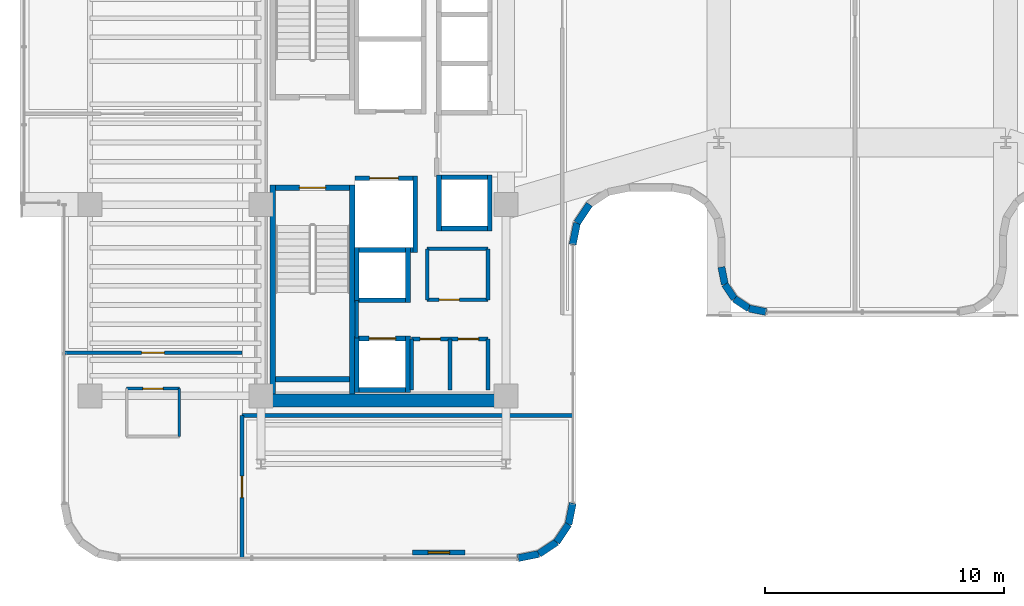
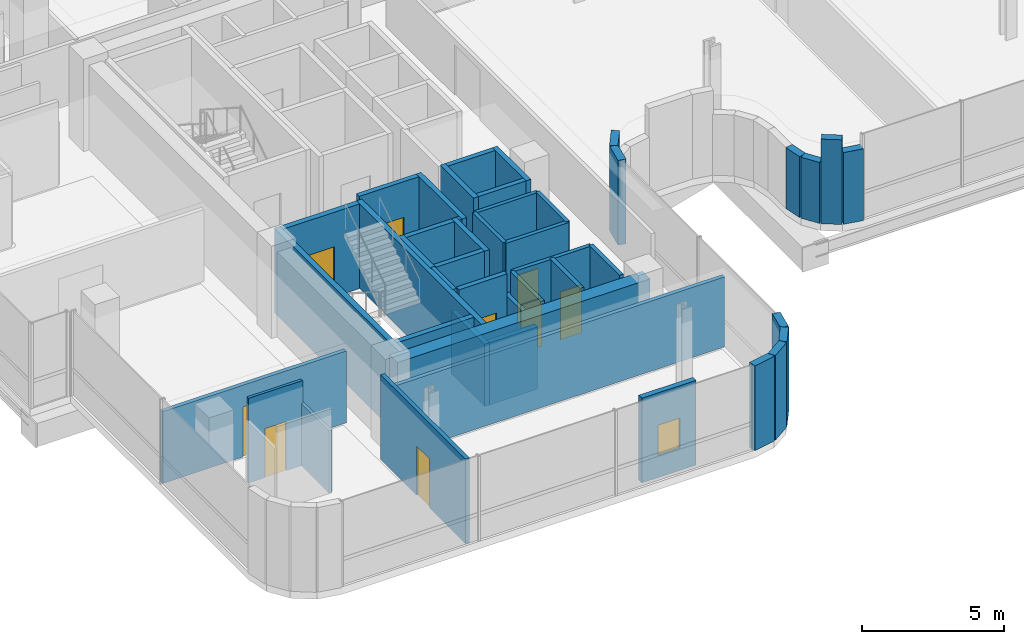
# One storey, part 26 of 36: 44 walls, 9 doors, 1 window, 10 openings.
"""IFC4 building model written with IfcOpenShell, lengths in metres."""

import ifcopenshell
import ifcopenshell.guid

model = None  # the IFC model being written
_history = None  # IfcOwnerHistory: only IFC2X3 demands one
_inside = {}  # id of a spatial element -> (the spatial element, [elements in it])
_under = {}  # id of a project, library or spatial element -> (it, [spatial elements below it])
_declared = {}  # id of a project -> (the project, [libraries it declares])
_typed = {}  # id of a type object -> (the type object, [elements of that type])
_made_of = {}  # id of a material, layer set ... -> (it, [elements and type objects made of it])


def new_model(schema):
    """Start an empty IFC model of exactly this schema.

    Asked for "IFC4X3", IfcOpenShell would pick the latest addendum, in which some entities
    have other attributes; the version numbers below select the first issue.
    IFC2X3 requires an IfcOwnerHistory on every rooted entity: one is made here for all.
    """
    global model, _history
    if schema == "IFC4X3":
        model = ifcopenshell.file(schema_version=(4, 3, 0, 0))
    else:
        model = ifcopenshell.file(schema=schema)
    _inside.clear()
    _under.clear()
    _declared.clear()
    _typed.clear()
    _made_of.clear()
    _history = None
    if model.schema == "IFC2X3":
        org = make("IfcOrganization", Name="unknown")
        user = make(
            "IfcPersonAndOrganization",
            ThePerson=make("IfcPerson", FamilyName="unknown"),
            TheOrganization=org,
        )
        app = make(
            "IfcApplication",
            ApplicationDeveloper=org,
            Version="unknown",
            ApplicationFullName="unknown",
            ApplicationIdentifier="unknown",
        )
        _history = make(
            "IfcOwnerHistory",
            OwningUser=user,
            OwningApplication=app,
            ChangeAction="ADDED",
            CreationDate=0,
        )
    return model


def make(cls, **values):
    """One entity of the class cls with the attributes given. An attribute that is None is left unset."""
    return model.create_entity(
        cls, **{name: value for name, value in values.items() if value is not None}
    )


def rooted(cls, **values):
    """An entity with a GlobalId (a new one), such as an element, a storey or a relation."""
    return make(cls, GlobalId=ifcopenshell.guid.new(), OwnerHistory=_history, **values)


def si_unit(unit_type, name, prefix=None):
    """IfcSIUnit, for example si_unit("LENGTHUNIT", "METRE", prefix="MILLI")."""
    return make("IfcSIUnit", UnitType=unit_type, Prefix=prefix, Name=name)


def assignment(units):
    """IfcUnitAssignment: the units of a project."""
    return None if units is None else make("IfcUnitAssignment", Units=units)


def point(xyz):
    """IfcCartesianPoint."""
    return None if xyz is None else make("IfcCartesianPoint", Coordinates=xyz)


def direction(xyz):
    """IfcDirection."""
    return None if xyz is None else make("IfcDirection", DirectionRatios=xyz)


def frame(location, z_axis=None, x_axis=None):
    """IfcAxis2Placement3D, a coordinate frame: its origin and axes. An axis left out is left unset."""
    return make(
        "IfcAxis2Placement3D",
        Location=point(location),
        Axis=direction(z_axis),
        RefDirection=direction(x_axis),
    )


def frame_2d(location, x_axis=None):
    """IfcAxis2Placement2D, a coordinate frame in the plane: its origin and x axis."""
    return make(
        "IfcAxis2Placement2D", Location=point(location), RefDirection=direction(x_axis)
    )


def origin():
    """The frame at (0, 0, 0) with its axes left unset."""
    return frame((0.0, 0.0, 0.0))


def place(relative_to, where):
    """IfcLocalPlacement: puts the frame where relative to a parent placement (None: the world)."""
    return make(
        "IfcLocalPlacement", PlacementRelTo=relative_to, RelativePlacement=where
    )


def context(
    kind, dimensions, precision=None, world=None, true_north=None, identifier=None
):
    """IfcGeometricRepresentationContext, for example the 3D "Model" context."""
    return make(
        "IfcGeometricRepresentationContext",
        ContextIdentifier=identifier,
        ContextType=kind,
        CoordinateSpaceDimension=dimensions,
        Precision=precision,
        WorldCoordinateSystem=world,
        TrueNorth=true_north,
    )


def subcontext(parent, identifier, kind, view, scale=None):
    """IfcGeometricRepresentationSubContext, for example "Body" below "Model"."""
    return make(
        "IfcGeometricRepresentationSubContext",
        ContextIdentifier=identifier,
        ContextType=kind,
        ParentContext=parent,
        TargetScale=scale,
        TargetView=view,
    )


def project(units=None, contexts=None):
    """IfcProject with its units and contexts."""
    return rooted(
        "IfcProject",
        Name="project",
        RepresentationContexts=contexts,
        UnitsInContext=assignment(units),
    )


def spatial(cls, under=None, at=None, **own):
    """A site, building, storey or space (cls), placed at a placement, below another one or the project."""
    s = rooted(cls, ObjectPlacement=at, **own)
    if under is not None:
        _under.setdefault(under.id(), (under, []))[1].append(s)
    return s


def profile(cls, at=None, kind="AREA", **sizes):
    """A parametric profile (cls). Its sizes go by their IFC names, for example OverallWidth=200.0."""
    return make(cls, ProfileType=kind, Position=at, **sizes)


def rectangle(**sizes):
    """IfcRectangleProfileDef."""
    return profile("IfcRectangleProfileDef", **sizes)


def extrude(swept, where, along, depth):
    """IfcExtrudedAreaSolid: the profile swept, set in the frame where, extruded along a direction by depth."""
    return make(
        "IfcExtrudedAreaSolid",
        SweptArea=swept,
        Position=where,
        ExtrudedDirection=direction(along),
        Depth=depth,
    )


def shape(context_of_items, identifier, shape_type, items):
    """IfcShapeRepresentation: the items that make up one representation, for example the "Body"."""
    return make(
        "IfcShapeRepresentation",
        ContextOfItems=context_of_items,
        RepresentationIdentifier=identifier,
        RepresentationType=shape_type,
        Items=items,
    )


def material(Name=None, Category=None):
    """IfcMaterial."""
    return make("IfcMaterial", Name=Name, Category=Category)


def layer(
    of_material, thickness, ventilated=None, Name=None, Category=None, Priority=None
):
    """IfcMaterialLayer: one layer of a wall or slab, of a material (None: an air gap)."""
    return make(
        "IfcMaterialLayer",
        Material=of_material,
        LayerThickness=thickness,
        IsVentilated=ventilated,
        Name=Name,
        Category=Category,
        Priority=Priority,
    )


def layer_set(layers, Name=None):
    """IfcMaterialLayerSet."""
    return make("IfcMaterialLayerSet", MaterialLayers=layers, LayerSetName=Name)


def made_of(thing, what):
    """Note that an element or type object is made of a material, layer set ...; save() writes the relation."""
    if what is not None:
        _made_of.setdefault(what.id(), (what, []))[1].append(thing)
    return thing


def type_object(cls, material=None, **own):
    """A type object (cls), such as IfcWallType, which elements share."""
    return made_of(rooted(cls, **own), material)


def element(
    cls,
    number,
    at=None,
    inside=None,
    cuts=None,
    type_object=None,
    material=None,
    context=None,
    identifier="Body",
    shape_type=None,
    held_by="IfcProductDefinitionShape",
    body=None,
    shapes=None,
    **own,
):
    """One element of the class cls, such as IfcWall. Its Tag is "e" and its number.

    at: its placement. inside: the storey or other place that contains it. cuts: it is an
    opening in that element (IfcRelVoidsElement). A single representation is given by context,
    identifier, shape_type and body (its items); several are given by shapes. held_by: the class
    of the entity that holds the representations. save() writes the other relations.
    """
    e = rooted(cls, Tag="e%d" % number, ObjectPlacement=at, **own)
    if body is not None:
        shapes = [shape(context, identifier, shape_type, body)]
    if shapes is not None:
        e.Representation = make(held_by, Representations=shapes)
    if inside is not None:
        _inside.setdefault(inside.id(), (inside, []))[1].append(e)
    if cuts is not None:
        rooted(
            "IfcRelVoidsElement", RelatingBuildingElement=cuts, RelatedOpeningElement=e
        )
    if type_object is not None:
        _typed.setdefault(type_object.id(), (type_object, []))[1].append(e)
    return made_of(e, material)


def fill(opening, filler):
    """IfcRelFillsElement: the door or window that sits in an opening."""
    return rooted(
        "IfcRelFillsElement",
        RelatingOpeningElement=opening,
        RelatedBuildingElement=filler,
    )


def aggregate(whole, parts):
    """IfcRelAggregates: a whole, such as a stair, and the parts it consists of."""
    return rooted("IfcRelAggregates", RelatingObject=whole, RelatedObjects=parts)


def save(model, path):
    """Write the relations noted so far, then the file.

    IfcRelAggregates (storeys below a building ...), IfcRelContainedInSpatialStructure (elements
    in a storey), IfcRelDefinesByType, IfcRelAssociatesMaterial and IfcRelDeclares: one each for
    every whole, place, type object, material and project.
    """
    for whole, parts in _under.values():
        aggregate(whole, parts)
    for where, things in _inside.values():
        rooted(
            "IfcRelContainedInSpatialStructure",
            RelatedElements=things,
            RelatingStructure=where,
        )
    for kind, things in _typed.values():
        rooted("IfcRelDefinesByType", RelatedObjects=things, RelatingType=kind)
    for what, things in _made_of.values():
        rooted("IfcRelAssociatesMaterial", RelatedObjects=things, RelatingMaterial=what)
    for by, libraries in _declared.values():
        rooted("IfcRelDeclares", RelatingContext=by, RelatedDefinitions=libraries)
    model.write(path)


model = new_model("IFC4")

# Units and contexts
model_context = context("Model", 3, precision=1e-05, world=origin(), true_north=direction((0.0, 1.0)))
body_context = subcontext(model_context, "Body", "Model", "MODEL_VIEW")
ifc_project = project(units=[si_unit("LENGTHUNIT", "METRE"), si_unit("AREAUNIT", "SQUARE_METRE"), si_unit("VOLUMEUNIT", "CUBIC_METRE"), si_unit("PLANEANGLEUNIT", "RADIAN"), si_unit("MASSUNIT", "GRAM", prefix="KILO")], contexts=[model_context])

# Site, building, storey
site_placement = place(None, origin())
site = spatial("IfcSite", under=ifc_project, at=site_placement, CompositionType="ELEMENT")
building_placement = place(site_placement, origin())
building = spatial("IfcBuilding", under=site, at=building_placement, Name="Valdorenza Pilgrim Sanctuary Tower", CompositionType="ELEMENT")
storey_placement = place(building_placement, frame((0.0, 0.0, 176.550048828125)))
storey = spatial("IfcBuildingStorey", under=building, at=storey_placement, Name="L45", CompositionType="ELEMENT", Elevation=176.550048828125)

# Wall
ifc_material_1 = material(Name="Acoustic twin-stud gypsum partition", Category="gypsum")
ifc_layer_1 = layer(ifc_material_1, 0.159912109375, Name="Acoustic twin-stud gypsum partition")
ifc_layer_set_1 = layer_set([ifc_layer_1], Name="Acoustic twin-stud gypsum partition")
wall_type_1 = type_object("IfcWallType", Name="WAL-COR-160", PredefinedType="PARTITIONING", material=ifc_layer_set_1)
wall_1_placement = place(storey_placement, frame((-18.64990234375, -8.179931640625, 0.0), z_axis=(0.0, 0.0, 1.0), x_axis=(0.0, 1.0, 0.0)))
element("IfcWall", 1, at=wall_1_placement, inside=storey, type_object=wall_type_1, Name="L45 Core A South Lift Hall West Wall", PredefinedType="PARTITIONING", context=body_context, shape_type="SweptSolid", body=[
    extrude(rectangle(XDim=1.559814453125, YDim=0.159912109375, at=frame_2d((0.77978515625, 0.0))), origin(), (0.0, 0.0, 1.0), 3.6298828125),
])

# Wall, openings, doors
wall_2_placement = place(storey_placement, frame((-16.35009765625, -8.219970703125, 0.0), z_axis=(0.0, 0.0, 1.0), x_axis=(1.0, 0.0, 0.0)))
wall_2 = element("IfcWall", 2, at=wall_2_placement, inside=storey, type_object=wall_type_1, Name="L45 Freed Shaft 1 North Wall", PredefinedType="PARTITIONING", context=body_context, shape_type="SweptSolid", body=[
    extrude(rectangle(XDim=3.2001953125, YDim=0.159912109375, at=frame_2d((1.60009765625, 0.0))), origin(), (0.0, 0.0, 1.0), 3.6298828125),
])
opening_1_placement = place(wall_2_placement, frame((0.35009765625, 0.0, 0.0)))
opening_1 = element("IfcOpeningElement", 3, at=opening_1_placement, cuts=wall_2, Name="Opening DR-RS1", PredefinedType="OPENING", context=body_context, shape_type="SweptSolid", body=[
    extrude(rectangle(XDim=0.85009765625, YDim=2.050048828125, at=frame_2d((0.425048828125, 1.02490234375))), frame((0.0, 0.0947265625, 0.0), z_axis=(0.0, -1.0, 0.0), x_axis=(1.0, 0.0, 0.0)), (0.0, 0.0, 1.0), 0.189697265625),
])
opening_2_placement = place(wall_2_placement, frame((1.949951171875, 0.0, 0.0)))
opening_2 = element("IfcOpeningElement", 4, at=opening_2_placement, cuts=wall_2, Name="Opening DR-RS1", PredefinedType="OPENING", context=body_context, shape_type="SweptSolid", body=[
    extrude(rectangle(XDim=0.85009765625, YDim=2.050048828125, at=frame_2d((0.425048828125, 1.02490234375))), frame((0.0, 0.0947265625, 0.0), z_axis=(0.0, -1.0, 0.0), x_axis=(1.0, 0.0, 0.0)), (0.0, 0.0, 1.0), 0.189697265625),
])
ifc_material_2 = material(Name="Painted galvanized steel", Category="steel")
door_type_1 = type_object("IfcDoorType", Name="DR-RSR-850", OperationType="NOTDEFINED", PredefinedType="DOOR", material=ifc_material_2)
door_1_placement = place(opening_1_placement, origin())
door_1 = element("IfcDoor", 5, at=door_1_placement, inside=storey, type_object=door_type_1, Name="L45 Linen Store Door", OperationType="SINGLE_SWING_RIGHT", OverallHeight=2.050048828125, OverallWidth=0.85009765625, PredefinedType="DOOR", context=body_context, shape_type="SweptSolid", body=[
    extrude(rectangle(XDim=0.85009765625, YDim=2.050048828125, at=frame_2d((0.425048828125, 1.02490234375))), frame((0.0, 0.02490234375, 0.0), z_axis=(0.0, -1.0, 0.0), x_axis=(1.0, 0.0, 0.0)), (0.0, 0.0, 1.0), 0.050048828125),
])
fill(opening_1, door_1)
door_2_placement = place(opening_2_placement, origin())
door_2 = element("IfcDoor", 6, at=door_2_placement, inside=storey, type_object=door_type_1, Name="L45 Cot Store Door", OperationType="SINGLE_SWING_LEFT", OverallHeight=2.050048828125, OverallWidth=0.85009765625, PredefinedType="DOOR", context=body_context, shape_type="SweptSolid", body=[
    extrude(rectangle(XDim=0.85009765625, YDim=2.050048828125, at=frame_2d((0.425048828125, 1.02490234375))), frame((0.0, 0.02490234375, 0.0), z_axis=(0.0, -1.0, 0.0), x_axis=(1.0, 0.0, 0.0)), (0.0, 0.0, 1.0), 0.050048828125),
])
fill(opening_2, door_2)

# Walls
for number, where, z_axis, x_axis, name in (
    (7, (-13.14990234375, -10.35009765625, 0.0), (0.0, 0.0, 1.0), (0.0, 1.0, 0.0), "L45 Freed Shaft 1 East Wall"),
    (8, (-14.75, -10.35009765625, 0.0), (0.0, 0.0, 1.0), (0.0, 1.0, 0.0), "L45 Freed Shaft 1 Split Wall"),
):
    element("IfcWall", number, at=place(storey_placement, frame(where, z_axis=z_axis, x_axis=x_axis)), inside=storey, type_object=wall_type_1, Name=name, PredefinedType="PARTITIONING", context=body_context, shape_type="SweptSolid", body=[
        extrude(rectangle(XDim=2.130126953125, YDim=0.159912109375, at=frame_2d((1.06494140625, 0.0))), origin(), (0.0, 0.0, 1.0), 3.6298828125),
    ])

# Wall, opening, door
wall_3_placement = place(storey_placement, frame((-15.699951171875, -6.580078125, 0.0), z_axis=(0.0, 0.0, 1.0), x_axis=(1.0, 0.0, 0.0)))
wall_3 = element("IfcWall", 9, at=wall_3_placement, inside=storey, type_object=wall_type_1, Name="L45 Freed Shaft 2 South Wall", PredefinedType="PARTITIONING", context=body_context, shape_type="SweptSolid", body=[
    extrude(rectangle(XDim=2.550048828125, YDim=0.159912109375, at=frame_2d((1.27490234375, 0.0))), origin(), (0.0, 0.0, 1.0), 3.6298828125),
])
opening_3_placement = place(wall_3_placement, frame((0.5, 0.0, 0.0)))
opening_3 = element("IfcOpeningElement", 10, at=opening_3_placement, cuts=wall_3, Name="Opening DR-RS1", PredefinedType="OPENING", context=body_context, shape_type="SweptSolid", body=[
    extrude(rectangle(XDim=0.85009765625, YDim=2.050048828125, at=frame_2d((0.425048828125, 1.02490234375))), frame((0.0, 0.0947265625, 0.0), z_axis=(0.0, -1.0, 0.0), x_axis=(1.0, 0.0, 0.0)), (0.0, 0.0, 1.0), 0.189697265625),
])
door_3_placement = place(opening_3_placement, origin())
door_3 = element("IfcDoor", 11, at=door_3_placement, inside=storey, type_object=door_type_1, Name="L45 Guest Tea Pantry Door", OperationType="SINGLE_SWING_RIGHT", OverallHeight=2.050048828125, OverallWidth=0.85009765625, PredefinedType="DOOR", context=body_context, shape_type="SweptSolid", body=[
    extrude(rectangle(XDim=0.85009765625, YDim=2.050048828125, at=frame_2d((0.425048828125, 1.02490234375))), frame((0.0, 0.02490234375, 0.0), z_axis=(0.0, -1.0, 0.0), x_axis=(1.0, 0.0, 0.0)), (0.0, 0.0, 1.0), 0.050048828125),
])
fill(opening_3, door_3)

# Walls
wall_4_placement = place(storey_placement, frame((-13.14990234375, -6.580078125, 0.0), z_axis=(0.0, 0.0, 1.0), x_axis=(0.0, 1.0, 0.0)))
element("IfcWall", 12, at=wall_4_placement, inside=storey, type_object=wall_type_1, Name="L45 Freed Shaft 2 East Wall", PredefinedType="PARTITIONING", context=body_context, shape_type="SweptSolid", body=[
    extrude(rectangle(XDim=2.130126953125, YDim=0.159912109375, at=frame_2d((1.06494140625, 0.0))), origin(), (0.0, 0.0, 1.0), 3.6298828125),
])
wall_5_placement = place(storey_placement, frame((-23.449951171875, -11.419921875, 0.0), z_axis=(0.0, 0.0, 1.0), x_axis=(1.0, 0.0, 0.0)))
element("IfcWall", 13, at=wall_5_placement, inside=storey, type_object=wall_type_1, Name="L45 South-East Pocket North Wall", PredefinedType="PARTITIONING", context=body_context, shape_type="SweptSolid", body=[
    extrude(rectangle(XDim=13.83984375, YDim=0.159912109375, at=frame_2d((6.919921875, 0.0))), origin(), (0.0, 0.0, 1.0), 3.00390625),
])

# Wall, opening, door
wall_6_placement = place(storey_placement, frame((-23.449951171875, -17.389892578125, 0.0), z_axis=(0.0, 0.0, 1.0), x_axis=(0.0, 1.0, 0.0)))
wall_6 = element("IfcWall", 14, at=wall_6_placement, inside=storey, type_object=wall_type_1, Name="L45 South-East Pocket West Wall", PredefinedType="PARTITIONING", context=body_context, shape_type="SweptSolid", body=[
    extrude(rectangle(XDim=5.969970703125, YDim=0.159912109375, at=frame_2d((2.98486328125, 0.0))), origin(), (0.0, 0.0, 1.0), 3.6298828125),
])
opening_4_placement = place(wall_6_placement, frame((2.534912109375, 0.0, 0.0)))
opening_4 = element("IfcOpeningElement", 15, at=opening_4_placement, cuts=wall_6, Name="Opening DR-RM1", PredefinedType="OPENING", context=body_context, shape_type="SweptSolid", body=[
    extrude(rectangle(XDim=0.89990234375, YDim=2.10009765625, at=frame_2d((0.449951171875, 1.050048828125))), frame((0.0, 0.0947265625, 0.0), z_axis=(0.0, -1.0, 0.0), x_axis=(1.0, 0.0, 0.0)), (0.0, 0.0, 1.0), 0.189697265625),
])
ifc_material_3 = material(Name="Solid-core European oak timber", Category="wood")
door_type_2 = type_object("IfcDoorType", Name="DR-ROOM-900", OperationType="NOTDEFINED", PredefinedType="DOOR", material=ifc_material_3)
door_4_placement = place(opening_4_placement, origin())
door_4 = element("IfcDoor", 16, at=door_4_placement, inside=storey, type_object=door_type_2, Name="L45 Sacred Archive Reading Library L45-S Door", OperationType="SINGLE_SWING_RIGHT", OverallHeight=2.10009765625, OverallWidth=0.89990234375, PredefinedType="DOOR", context=body_context, shape_type="SweptSolid", body=[
    extrude(rectangle(XDim=0.89990234375, YDim=2.10009765625, at=frame_2d((0.449951171875, 1.050048828125))), frame((0.0, 0.02490234375, 0.0), z_axis=(0.0, -1.0, 0.0), x_axis=(1.0, 0.0, 0.0)), (0.0, 0.0, 1.0), 0.050048828125),
])
fill(opening_4, door_4)

wall_7_placement = place(storey_placement, frame((-30.889892578125, -8.800048828125, 0.0), z_axis=(0.0, 0.0, 1.0), x_axis=(1.0, 0.0, 0.0)))
wall_7 = element("IfcWall", 17, at=wall_7_placement, inside=storey, type_object=wall_type_1, Name="L45 Cloister South Room Wall", PredefinedType="PARTITIONING", context=body_context, shape_type="SweptSolid", body=[
    extrude(rectangle(XDim=7.43994140625, YDim=0.159912109375, at=frame_2d((3.719970703125, 0.0))), origin(), (0.0, 0.0, 1.0), 3.075927734375),
])
opening_5_placement = place(wall_7_placement, frame((3.2451171875, 0.0, 0.0)))
opening_5 = element("IfcOpeningElement", 18, at=opening_5_placement, cuts=wall_7, Name="Opening DR-UN1", PredefinedType="OPENING", context=body_context, shape_type="SweptSolid", body=[
    extrude(rectangle(XDim=0.949951171875, YDim=2.14990234375, at=frame_2d((0.47509765625, 1.074951171875))), frame((0.0, 0.0947265625, 0.0), z_axis=(0.0, -1.0, 0.0), x_axis=(1.0, 0.0, 0.0)), (0.0, 0.0, 1.0), 0.189697265625),
])
door_type_3 = type_object("IfcDoorType", Name="DR-UNIT-950", OperationType="NOTDEFINED", PredefinedType="DOOR", material=ifc_material_3)
door_5_placement = place(opening_5_placement, frame((0.949951171875, 0.0, 0.0), z_axis=(0.0, 0.0, 1.0), x_axis=(-1.0, 0.0, 0.0)))
door_5 = element("IfcDoor", 19, at=door_5_placement, inside=storey, type_object=door_type_3, Name="L45 Pilgrim Guest Room L45-CS1 Entrance Door", OperationType="SINGLE_SWING_LEFT", OverallHeight=2.14990234375, OverallWidth=0.949951171875, PredefinedType="DOOR", context=body_context, shape_type="SweptSolid", body=[
    extrude(rectangle(XDim=0.949951171875, YDim=2.14990234375, at=frame_2d((0.47509765625, 1.074951171875))), frame((0.0, 0.02490234375, 0.0), z_axis=(0.0, -1.0, 0.0), x_axis=(1.0, 0.0, 0.0)), (0.0, 0.0, 1.0), 0.050048828125),
])
fill(opening_5, door_5)

# Walls
ifc_material_4 = material(Name="Concrete C50/60", Category="concrete")
ifc_layer_2 = layer(ifc_material_4, 0.550048828125, Name="Concrete C50/60")
ifc_layer_set_2 = layer_set([ifc_layer_2], Name="Concrete C50/60")
wall_type_2 = type_object("IfcWallType", Name="WAL-COR-550", PredefinedType="SHEAR", material=ifc_layer_set_2)
wall_8_placement = place(storey_placement, frame((-22.64990234375, -10.800048828125, 0.0), z_axis=(0.0, 0.0, 1.0), x_axis=(1.0, 0.0, 0.0)))
element("IfcWall", 20, at=wall_8_placement, inside=storey, type_object=wall_type_2, Name="L45 Split Core A Shear Wall S", PredefinedType="SHEAR", context=body_context, shape_type="SweptSolid", body=[
    extrude(rectangle(XDim=10.25, YDim=0.550048828125, at=frame_2d((5.125, 0.0))), origin(), (0.0, 0.0, 1.0), 3.6298828125),
])
ifc_material_5 = material(Name="Honed travertine limestone", Category="masonry")
ifc_layer_3 = layer(ifc_material_5, 0.300048828125, Name="Honed travertine limestone")
ifc_layer_set_3 = layer_set([ifc_layer_3], Name="Honed travertine limestone")
wall_type_3 = type_object("IfcWallType", Name="WAL-EXT-300", PredefinedType="SOLIDWALL", material=ifc_layer_set_3)
wall_9_placement = place(storey_placement, frame((-1.51318359375, -7.090087890625, 0.0), z_axis=(0.0, 0.0, 1.0), x_axis=(-0.980783640462, 0.195098566376, 0.0)))
element("IfcWall", 21, at=wall_9_placement, inside=storey, type_object=wall_type_3, Name="L45 Rounded Wind-Corner Stone Pier 63", PredefinedType="SOLIDWALL", context=body_context, shape_type="SweptSolid", body=[
    extrude(rectangle(XDim=0.73828125, YDim=0.300048828125, at=frame_2d((0.369140625, 0.0))), origin(), (0.0, 0.0, 1.0), 3.075927734375),
])
wall_10_placement = place(storey_placement, frame((-2.2373046875, -6.946044921875, 0.0), z_axis=(0.0, 0.0, 1.0), x_axis=(-0.831378135196, 0.555707113792, 0.0)))
element("IfcWall", 22, at=wall_10_placement, inside=storey, type_object=wall_type_3, Name="L45 Rounded Wind-Corner Stone Pier 64", PredefinedType="SOLIDWALL", context=body_context, shape_type="SweptSolid", body=[
    extrude(rectangle(XDim=0.72705078125, YDim=0.300048828125, at=frame_2d((0.363525390625, 0.0))), origin(), (0.0, 0.0, 1.0), 3.6298828125),
])
wall_11_placement = place(storey_placement, frame((-2.841796875, -6.5419921875, 0.0), z_axis=(0.0, 0.0, 1.0), x_axis=(-0.555784030735, 0.83132671747, 0.0)))
element("IfcWall", 23, at=wall_11_placement, inside=storey, type_object=wall_type_3, Name="L45 Rounded Wind-Corner Stone Pier 65", PredefinedType="SOLIDWALL", context=body_context, shape_type="SweptSolid", body=[
    extrude(rectangle(XDim=0.7275390625, YDim=0.300048828125, at=frame_2d((0.36376953125, 0.0))), origin(), (0.0, 0.0, 1.0), 2.614990234375),
])
wall_12_placement = place(storey_placement, frame((-3.24609375, -5.937255859375, 0.0), z_axis=(0.0, 0.0, 1.0), x_axis=(-0.194780446724, 0.980846867546, 0.0)))
element("IfcWall", 24, at=wall_12_placement, inside=storey, type_object=wall_type_3, Name="L45 Rounded Wind-Corner Stone Pier 66", PredefinedType="SOLIDWALL", context=body_context, shape_type="SweptSolid", body=[
    extrude(rectangle(XDim=0.73828125, YDim=0.300048828125, at=frame_2d((0.369140625, 0.0))), origin(), (0.0, 0.0, 1.0), 2.614990234375),
])
wall_13_placement = place(storey_placement, frame((-8.91162109375, -2.58837890625, 0.0), z_axis=(0.0, 0.0, 1.0), x_axis=(-0.555364065883, -0.831607331814, 0.0)))
element("IfcWall", 25, at=wall_13_placement, inside=storey, type_object=wall_type_3, Name="L45 Rounded Wind-Corner Stone Pier 75", PredefinedType="SOLIDWALL", context=body_context, shape_type="SweptSolid", body=[
    extrude(rectangle(XDim=0.933349609375, YDim=0.300048828125, at=frame_2d((0.466796875, 0.0))), origin(), (0.0, 0.0, 1.0), 3.6298828125),
])
wall_14_placement = place(storey_placement, frame((-9.429931640625, -3.364501953125, 0.0), z_axis=(0.0, 0.0, 1.0), x_axis=(-0.195301801101, -0.980743190895, 0.0)))
element("IfcWall", 26, at=wall_14_placement, inside=storey, type_object=wall_type_3, Name="L45 Rounded Wind-Corner Stone Pier 76", PredefinedType="SOLIDWALL", context=body_context, shape_type="SweptSolid", body=[
    extrude(rectangle(XDim=0.922607421875, YDim=0.300048828125, at=frame_2d((0.46142578125, 0.0))), origin(), (0.0, 0.0, 1.0), 3.6298828125),
])
wall_15_placement = place(storey_placement, frame((-9.610107421875, -15.089111328125, 0.0), z_axis=(0.0, 0.0, 1.0), x_axis=(-0.195025152871, -0.980798241101, 0.0)))
element("IfcWall", 27, at=wall_15_placement, inside=storey, type_object=wall_type_3, Name="L45 Rounded Wind-Corner Stone Pier 78", PredefinedType="SOLIDWALL", context=body_context, shape_type="SweptSolid", body=[
    extrude(rectangle(XDim=0.90380859375, YDim=0.300048828125, at=frame_2d((0.451904296875, 0.0))), origin(), (0.0, 0.0, 1.0), 3.6298828125),
])
for number, where, z_axis, x_axis, name in (
    (28, (-9.786376953125, -15.9755859375, 0.0), (0.0, 0.0, 1.0), (-0.555520488502, -0.831502848374, 0.0), "L45 Rounded Wind-Corner Stone Pier 79"),
    (29, (-10.2822265625, -16.7177734375, 0.0), (0.0, 0.0, 1.0), (-0.831502848374, -0.555520488502, 0.0), "L45 Rounded Wind-Corner Stone Pier 80"),
):
    element("IfcWall", number, at=place(storey_placement, frame(where, z_axis=z_axis, x_axis=x_axis)), inside=storey, type_object=wall_type_3, Name=name, PredefinedType="SOLIDWALL", context=body_context, shape_type="SweptSolid", body=[
        extrude(rectangle(XDim=0.892578125, YDim=0.300048828125, at=frame_2d((0.4462890625, 0.0))), origin(), (0.0, 0.0, 1.0), 3.6298828125),
    ])
wall_16_placement = place(storey_placement, frame((-11.0244140625, -17.213623046875, 0.0), z_axis=(0.0, 0.0, 1.0), x_axis=(-0.980798241101, -0.195025152871, 0.0)))
element("IfcWall", 30, at=wall_16_placement, inside=storey, type_object=wall_type_3, Name="L45 Rounded Wind-Corner Stone Pier 81", PredefinedType="SOLIDWALL", context=body_context, shape_type="SweptSolid", body=[
    extrude(rectangle(XDim=0.90380859375, YDim=0.300048828125, at=frame_2d((0.451904296875, 0.0))), origin(), (0.0, 0.0, 1.0), 3.6298828125),
])

# Wall, opening, window
wall_17_placement = place(storey_placement, frame((-14.11083984375, -17.14990234375, 0.0), z_axis=(0.0, 0.0, 1.0), x_axis=(-1.0, 0.0, 0.0)))
wall_17 = element("IfcWall", 31, at=wall_17_placement, inside=storey, type_object=wall_type_3, Name="L45 Operable Ventilation Sash Jamb Pier", PredefinedType="SOLIDWALL", context=body_context, shape_type="SweptSolid", body=[
    extrude(rectangle(XDim=2.199951171875, YDim=0.219970703125, at=frame_2d((1.10009765625, 0.0))), origin(), (0.0, 0.0, 1.0), 3.6298828125),
])
opening_6_placement = place(wall_17_placement, frame((0.64990234375, 0.0, 0.949951171875)))
opening_6 = element("IfcOpeningElement", 32, at=opening_6_placement, cuts=wall_17, Name="Opening WN-OP1", PredefinedType="OPENING", context=body_context, shape_type="SweptSolid", body=[
    extrude(rectangle(XDim=0.89990234375, YDim=1.300048828125, at=frame_2d((0.449951171875, 0.64990234375))), frame((0.0, 0.125, 0.0), z_axis=(0.0, -1.0, 0.0), x_axis=(1.0, 0.0, 0.0)), (0.0, 0.0, 1.0), 0.249755859375),
])
ifc_material_6 = material(Name="Ceramic-fritted low-E IGU glazing", Category="glass")
window_type = type_object("IfcWindowType", Name="WIN-OPN-900", PartitioningType="SINGLE_PANEL", PredefinedType="WINDOW", material=ifc_material_6)
window_placement = place(opening_6_placement, origin())
window = element("IfcWindow", 33, at=window_placement, inside=storey, type_object=window_type, Name="L45 Parallel-Pop-Out Operable Facade Panel", OverallHeight=1.300048828125, OverallWidth=0.89990234375, PartitioningType="SINGLE_PANEL", PredefinedType="WINDOW", context=body_context, shape_type="SweptSolid", body=[
    extrude(rectangle(XDim=0.89990234375, YDim=1.300048828125, at=frame_2d((0.449951171875, 0.64990234375))), frame((0.0, 0.030029296875, 0.0), z_axis=(0.0, -1.0, 0.0), x_axis=(1.0, 0.0, 0.0)), (0.0, 0.0, 1.0), 0.06005859375),
])
fill(opening_6, window)

# Wall
ifc_material_7 = material(Name="Moisture-resistant gypsum partition", Category="gypsum")
ifc_layer_4 = layer(ifc_material_7, 0.1201171875, Name="Moisture-resistant gypsum partition")
ifc_layer_set_4 = layer_set([ifc_layer_4], Name="Moisture-resistant gypsum partition")
wall_type_4 = type_object("IfcWallType", Name="WAL-INT-120", PredefinedType="PARTITIONING", material=ifc_layer_set_4)
wall_18_placement = place(storey_placement, frame((-26.070068359375, -12.300048828125, 0.0), z_axis=(0.0, 0.0, 1.0), x_axis=(0.0, 1.0, 0.0)))
element("IfcWall", 34, at=wall_18_placement, inside=storey, type_object=wall_type_4, Name="L45 Pilgrim Guest Room L45-CS1 En-suite East Wall", PredefinedType="PARTITIONING", context=body_context, shape_type="SweptSolid", body=[
    extrude(rectangle(XDim=2.0, YDim=0.1201171875, at=frame_2d((1.0, 0.0))), origin(), (0.0, 0.0, 1.0), 2.6650390625),
])

# Wall, opening, door
wall_19_placement = place(storey_placement, frame((-28.27001953125, -10.300048828125, 0.0), z_axis=(0.0, 0.0, 1.0), x_axis=(1.0, 0.0, 0.0)))
wall_19 = element("IfcWall", 35, at=wall_19_placement, inside=storey, type_object=wall_type_4, Name="L45 Pilgrim Guest Room L45-CS1 En-suite Door Wall", PredefinedType="PARTITIONING", context=body_context, shape_type="SweptSolid", body=[
    extrude(rectangle(XDim=2.199951171875, YDim=0.1201171875, at=frame_2d((1.10009765625, 0.0))), origin(), (0.0, 0.0, 1.0), 3.6298828125),
])
opening_7_placement = place(wall_19_placement, frame((0.675048828125, 0.0, 0.0)))
opening_7 = element("IfcOpeningElement", 36, at=opening_7_placement, cuts=wall_19, Name="Opening DR-WC1", PredefinedType="OPENING", context=body_context, shape_type="SweptSolid", body=[
    extrude(rectangle(XDim=0.85009765625, YDim=2.10009765625, at=frame_2d((0.425048828125, 1.050048828125))), frame((0.0, 0.074951171875, 0.0), z_axis=(0.0, -1.0, 0.0), x_axis=(1.0, 0.0, 0.0)), (0.0, 0.0, 1.0), 0.14990234375),
])
ifc_material_8 = material(Name="Moisture-resistant lacquered timber", Category="wood")
door_type_4 = type_object("IfcDoorType", Name="DR-BATH-850", OperationType="NOTDEFINED", PredefinedType="DOOR", material=ifc_material_8)
door_6_placement = place(opening_7_placement, origin())
door_6 = element("IfcDoor", 37, at=door_6_placement, inside=storey, type_object=door_type_4, Name="L45 Pilgrim Guest Room L45-CS1 En-suite Bathroom Door", OperationType="SINGLE_SWING_RIGHT", OverallHeight=2.10009765625, OverallWidth=0.85009765625, PredefinedType="DOOR", context=body_context, shape_type="SweptSolid", body=[
    extrude(rectangle(XDim=0.85009765625, YDim=2.10009765625, at=frame_2d((0.425048828125, 1.050048828125))), frame((0.0, 0.02490234375, 0.0), z_axis=(0.0, -1.0, 0.0), x_axis=(1.0, 0.0, 0.0)), (0.0, 0.0, 1.0), 0.050048828125),
])
fill(opening_7, door_6)

# Walls
ifc_material_9 = material(Name="Autoclaved aerated concrete blockwork", Category="masonry")
ifc_layer_5 = layer(ifc_material_9, 0.199951171875, Name="Autoclaved aerated concrete blockwork")
ifc_layer_set_5 = layer_set([ifc_layer_5], Name="Autoclaved aerated concrete blockwork")
wall_type_5 = type_object("IfcWallType", Name="WAL-SHF-200", PredefinedType="MOVABLE", material=ifc_layer_set_5)
wall_20_placement = place(storey_placement, frame((-16.199951171875, -4.60009765625, 0.0), z_axis=(0.0, 0.0, 1.0), x_axis=(0.0, 1.0, 0.0)))
element("IfcWall", 38, at=wall_20_placement, inside=storey, type_object=wall_type_5, Name="L45 Lift FFL-02 Hoistway Wall East", PredefinedType="MOVABLE", context=body_context, shape_type="SweptSolid", body=[
    extrude(rectangle(XDim=3.2001953125, YDim=0.199951171875, at=frame_2d((1.60009765625, 0.0))), origin(), (0.0, 0.0, 1.0), 3.6298828125),
])
wall_21_placement = place(storey_placement, frame((-18.719970703125, -4.5, 0.0), z_axis=(0.0, 0.0, 1.0), x_axis=(1.0, 0.0, 0.0)))
element("IfcWall", 39, at=wall_21_placement, inside=storey, type_object=wall_type_5, Name="L45 Lift FFL-02 Hoistway Wall South", PredefinedType="MOVABLE", context=body_context, shape_type="SweptSolid", body=[
    extrude(rectangle(XDim=2.419921875, YDim=0.199951171875, at=frame_2d((1.2099609375, 0.0))), origin(), (0.0, 0.0, 1.0), 3.6298828125),
])

# Wall, opening, door
wall_22_placement = place(storey_placement, frame((-18.719970703125, -1.5, 0.0), z_axis=(0.0, 0.0, 1.0), x_axis=(1.0, 0.0, 0.0)))
wall_22 = element("IfcWall", 40, at=wall_22_placement, inside=storey, type_object=wall_type_5, Name="L45 Lift FFL-02 Hoistway Wall North", PredefinedType="MOVABLE", context=body_context, shape_type="SweptSolid", body=[
    extrude(rectangle(XDim=2.419921875, YDim=0.199951171875, at=frame_2d((1.2099609375, 0.0))), origin(), (0.0, 0.0, 1.0), 3.6298828125),
])
opening_8_placement = place(wall_22_placement, frame((0.610107421875, 0.0, 0.0)))
opening_8 = element("IfcOpeningElement", 41, at=opening_8_placement, cuts=wall_22, Name="Opening LD-02", PredefinedType="OPENING", context=body_context, shape_type="SweptSolid", body=[
    extrude(rectangle(XDim=1.199951171875, YDim=2.10009765625, at=frame_2d((0.60009765625, 1.050048828125))), frame((0.0, 0.11474609375, 0.0), z_axis=(0.0, -1.0, 0.0), x_axis=(1.0, 0.0, 0.0)), (0.0, 0.0, 1.0), 0.229736328125),
])
ifc_material_10 = material(Name="Brushed stainless steel Grade 316", Category="steel")
door_type_5 = type_object("IfcDoorType", Name="DR-LFT-1200", OperationType="DOUBLE_DOOR_SLIDING", PredefinedType="DOOR", material=ifc_material_10)
door_7_placement = place(opening_8_placement, origin())
door_7 = element("IfcDoor", 42, at=door_7_placement, inside=storey, type_object=door_type_5, Name="L45 Lift FFL-02 Sliding Landing Door", OperationType="DOUBLE_DOOR_SLIDING", OverallHeight=2.10009765625, OverallWidth=1.199951171875, PredefinedType="DOOR", context=body_context, shape_type="SweptSolid", body=[
    extrude(rectangle(XDim=1.199951171875, YDim=2.10009765625, at=frame_2d((0.60009765625, 1.050048828125))), frame((0.0, 0.02490234375, 0.0), z_axis=(0.0, -1.0, 0.0), x_axis=(1.0, 0.0, 0.0)), (0.0, 0.0, 1.0), 0.050048828125),
])
fill(opening_8, door_7)

# Walls
for number, where, z_axis, x_axis, name in (
    (43, (-18.64990234375, -10.449951171875, 0.0), (0.0, 0.0, 1.0), (0.0, 1.0, 0.0), "L45 Lift PL-05 Hoistway Wall West"),
    (44, (-16.5, -10.449951171875, 0.0), (0.0, 0.0, 1.0), (0.0, 1.0, 0.0), "L45 Lift PL-05 Hoistway Wall East"),
):
    element("IfcWall", number, at=place(storey_placement, frame(where, z_axis=z_axis, x_axis=x_axis)), inside=storey, type_object=wall_type_5, Name=name, PredefinedType="MOVABLE", context=body_context, shape_type="SweptSolid", body=[
        extrude(rectangle(XDim=2.349853515625, YDim=0.199951171875, at=frame_2d((1.1748046875, 0.0))), origin(), (0.0, 0.0, 1.0), 2.6650390625),
    ])
wall_23_placement = place(storey_placement, frame((-18.550048828125, -10.35009765625, 0.0), z_axis=(0.0, 0.0, 1.0), x_axis=(1.0, 0.0, 0.0)))
element("IfcWall", 45, at=wall_23_placement, inside=storey, type_object=wall_type_5, Name="L45 Lift PL-05 Hoistway Wall South", PredefinedType="MOVABLE", context=body_context, shape_type="SweptSolid", body=[
    extrude(rectangle(XDim=1.949951171875, YDim=0.199951171875, at=frame_2d((0.97509765625, 0.0))), origin(), (0.0, 0.0, 1.0), 2.6650390625),
])

# Wall, opening, door
wall_24_placement = place(storey_placement, frame((-18.550048828125, -8.199951171875, 0.0), z_axis=(0.0, 0.0, 1.0), x_axis=(1.0, 0.0, 0.0)))
wall_24 = element("IfcWall", 46, at=wall_24_placement, inside=storey, type_object=wall_type_5, Name="L45 Lift PL-05 Hoistway Wall North", PredefinedType="MOVABLE", context=body_context, shape_type="SweptSolid", body=[
    extrude(rectangle(XDim=1.949951171875, YDim=0.199951171875, at=frame_2d((0.97509765625, 0.0))), origin(), (0.0, 0.0, 1.0), 3.6298828125),
])
opening_9_placement = place(wall_24_placement, frame((0.425048828125, 0.0, 0.0)))
opening_9 = element("IfcOpeningElement", 47, at=opening_9_placement, cuts=wall_24, Name="Opening LD-01", PredefinedType="OPENING", context=body_context, shape_type="SweptSolid", body=[
    extrude(rectangle(XDim=1.10009765625, YDim=2.10009765625, at=frame_2d((0.550048828125, 1.050048828125))), frame((0.0, 0.11474609375, 0.0), z_axis=(0.0, -1.0, 0.0), x_axis=(1.0, 0.0, 0.0)), (0.0, 0.0, 1.0), 0.229736328125),
])
door_type_6 = type_object("IfcDoorType", Name="DR-LFT-1100", OperationType="DOUBLE_DOOR_SLIDING", PredefinedType="DOOR", material=ifc_material_10)
door_8_placement = place(opening_9_placement, origin())
door_8 = element("IfcDoor", 48, at=door_8_placement, inside=storey, type_object=door_type_6, Name="L45 Lift PL-05 Sliding Landing Door", OperationType="DOUBLE_DOOR_SLIDING", OverallHeight=2.10009765625, OverallWidth=1.10009765625, PredefinedType="DOOR", context=body_context, shape_type="SweptSolid", body=[
    extrude(rectangle(XDim=1.10009765625, YDim=2.10009765625, at=frame_2d((0.550048828125, 1.050048828125))), frame((0.0, 0.02490234375, 0.0), z_axis=(0.0, -1.0, 0.0), x_axis=(1.0, 0.0, 0.0)), (0.0, 0.0, 1.0), 0.050048828125),
])
fill(opening_9, door_8)

# Walls
for number, where, z_axis, x_axis, name in (
    (49, (-18.64990234375, -6.699951171875, 0.0), (0.0, 0.0, 1.0), (0.0, 1.0, 0.0), "L45 Lift PL-11 Hoistway Wall West"),
    (50, (-16.5, -6.699951171875, 0.0), (0.0, 0.0, 1.0), (0.0, 1.0, 0.0), "L45 Lift PL-11 Hoistway Wall East"),
):
    element("IfcWall", number, at=place(storey_placement, frame(where, z_axis=z_axis, x_axis=x_axis)), inside=storey, type_object=wall_type_5, Name=name, PredefinedType="MOVABLE", context=body_context, shape_type="SweptSolid", body=[
        extrude(rectangle(XDim=2.300048828125, YDim=0.199951171875, at=frame_2d((1.14990234375, 0.0))), origin(), (0.0, 0.0, 1.0), 3.6298828125),
    ])
wall_25_placement = place(storey_placement, frame((-18.550048828125, -6.60009765625, 0.0), z_axis=(0.0, 0.0, 1.0), x_axis=(1.0, 0.0, 0.0)))
element("IfcWall", 51, at=wall_25_placement, inside=storey, type_object=wall_type_5, Name="L45 Lift PL-11 Hoistway Wall South", PredefinedType="MOVABLE", context=body_context, shape_type="SweptSolid", body=[
    extrude(rectangle(XDim=1.949951171875, YDim=0.199951171875, at=frame_2d((0.97509765625, 0.0))), origin(), (0.0, 0.0, 1.0), 3.6298828125),
])
for number, where, z_axis, x_axis, name in (
    (52, (-15.199951171875, -3.699951171875, 0.0), (0.0, 0.0, 1.0), (0.0, 1.0, 0.0), "L45 Lift PL-12 Hoistway Wall West"),
    (53, (-13.080078125, -3.699951171875, 0.0), (0.0, 0.0, 1.0), (0.0, 1.0, 0.0), "L45 Lift PL-12 Hoistway Wall East"),
):
    element("IfcWall", number, at=place(storey_placement, frame(where, z_axis=z_axis, x_axis=x_axis)), inside=storey, type_object=wall_type_5, Name=name, PredefinedType="MOVABLE", context=body_context, shape_type="SweptSolid", body=[
        extrude(rectangle(XDim=2.349853515625, YDim=0.199951171875, at=frame_2d((1.1748046875, 0.0))), origin(), (0.0, 0.0, 1.0), 3.6298828125),
    ])
for number, where, z_axis, x_axis, name in (
    (54, (-15.10009765625, -3.60009765625, 0.0), (0.0, 0.0, 1.0), (1.0, 0.0, 0.0), "L45 Lift PL-12 Hoistway Wall South"),
    (55, (-15.10009765625, -1.449951171875, 0.0), (0.0, 0.0, 1.0), (1.0, 0.0, 0.0), "L45 Lift PL-12 Hoistway Wall North"),
):
    element("IfcWall", number, at=place(storey_placement, frame(where, z_axis=z_axis, x_axis=x_axis)), inside=storey, type_object=wall_type_5, Name=name, PredefinedType="MOVABLE", context=body_context, shape_type="SweptSolid", body=[
        extrude(rectangle(XDim=1.920166015625, YDim=0.199951171875, at=frame_2d((0.9599609375, 0.0))), origin(), (0.0, 0.0, 1.0), 3.6298828125),
    ])
ifc_material_11 = material(Name="Concrete C40/50", Category="concrete")
ifc_layer_6 = layer(ifc_material_11, 0.219970703125, Name="Concrete C40/50")
ifc_layer_set_6 = layer_set([ifc_layer_6], Name="Concrete C40/50")
wall_type_6 = type_object("IfcWallType", Name="WAL-STR-SHF-220", PredefinedType="SHEAR", material=ifc_layer_set_6)
for number, where, z_axis, x_axis, name in (
    (56, (-22.159912109375, -10.52490234375, 0.0), (0.0, 0.0, 1.0), (0.0, 1.0, 0.0), "L45 ST-A2 Structural Stairwell Wall W"),
    (57, (-18.830078125, -10.52490234375, 0.0), (0.0, 0.0, 1.0), (0.0, 1.0, 0.0), "L45 ST-A2 Structural Stairwell Wall E"),
):
    element("IfcWall", number, at=place(storey_placement, frame(where, z_axis=z_axis, x_axis=x_axis)), inside=storey, type_object=wall_type_6, Name=name, PredefinedType="SHEAR", context=body_context, shape_type="SweptSolid", body=[
        extrude(rectangle(XDim=8.744873046875, YDim=0.219970703125, at=frame_2d((4.37255859375, 0.0))), origin(), (0.0, 0.0, 1.0), 3.6298828125),
    ])
wall_26_placement = place(storey_placement, frame((-22.050048828125, -9.909912109375, 0.0), z_axis=(0.0, 0.0, 1.0), x_axis=(1.0, 0.0, 0.0)))
element("IfcWall", 58, at=wall_26_placement, inside=storey, type_object=wall_type_6, Name="L45 ST-A2 Structural Stairwell Wall S", PredefinedType="SHEAR", context=body_context, shape_type="SweptSolid", body=[
    extrude(rectangle(XDim=3.110107421875, YDim=0.219970703125, at=frame_2d((1.55517578125, 0.0))), origin(), (0.0, 0.0, 1.0), 3.6298828125),
])

# Wall, opening, door
wall_27_placement = place(storey_placement, frame((-22.050048828125, -1.889892578125, 0.0), z_axis=(0.0, 0.0, 1.0), x_axis=(1.0, 0.0, 0.0)))
wall_27 = element("IfcWall", 59, at=wall_27_placement, inside=storey, type_object=wall_type_6, Name="L45 ST-A2 Structural Stairwell Wall N", PredefinedType="SHEAR", context=body_context, shape_type="SweptSolid", body=[
    extrude(rectangle(XDim=3.110107421875, YDim=0.219970703125, at=frame_2d((1.55517578125, 0.0))), origin(), (0.0, 0.0, 1.0), 3.6298828125),
])
opening_10_placement = place(wall_27_placement, frame((1.0, 0.0, 0.0)))
opening_10 = element("IfcOpeningElement", 60, at=opening_10_placement, cuts=wall_27, Name="Opening DR-ST1", PredefinedType="OPENING", context=body_context, shape_type="SweptSolid", body=[
    extrude(rectangle(XDim=1.10009765625, YDim=2.14990234375, at=frame_2d((0.550048828125, 1.074951171875))), frame((0.0, 0.125, 0.0), z_axis=(0.0, -1.0, 0.0), x_axis=(1.0, 0.0, 0.0)), (0.0, 0.0, 1.0), 0.249755859375),
])
door_type_7 = type_object("IfcDoorType", Name="DR-STAIR-1100", OperationType="NOTDEFINED", PredefinedType="DOOR", material=ifc_material_2)
door_9_placement = place(opening_10_placement, origin())
door_9 = element("IfcDoor", 61, at=door_9_placement, inside=storey, type_object=door_type_7, Name="L45 Exit Stair ST-A2 Door", OperationType="SINGLE_SWING_RIGHT", OverallHeight=2.14990234375, OverallWidth=1.10009765625, PredefinedType="DOOR", context=body_context, shape_type="SweptSolid", body=[
    extrude(rectangle(XDim=1.10009765625, YDim=2.14990234375, at=frame_2d((0.550048828125, 1.074951171875))), frame((0.0, 0.02490234375, 0.0), z_axis=(0.0, -1.0, 0.0), x_axis=(1.0, 0.0, 0.0)), (0.0, 0.0, 1.0), 0.050048828125),
])
fill(opening_10, door_9)

# Walls
ifc_layer_7 = layer(ifc_material_1, 0.14990234375, Name="Acoustic twin-stud gypsum partition")
ifc_layer_set_7 = layer_set([ifc_layer_7], Name="Acoustic twin-stud gypsum partition")
wall_type_7 = type_object("IfcWallType", Name="WAL-UNT-150", PredefinedType="PARTITIONING", material=ifc_layer_set_7)
for number, where, z_axis, x_axis, name in (
    (62, (-16.35009765625, -10.35009765625, 0.0), (0.0, 0.0, 1.0), (0.0, 1.0, 0.0), "L45 Freed Shaft 1 West Wall"),
    (63, (-15.699951171875, -6.580078125, 0.0), (0.0, 0.0, 1.0), (0.0, 1.0, 0.0), "L45 Freed Shaft 2 West Wall"),
):
    element("IfcWall", number, at=place(storey_placement, frame(where, z_axis=z_axis, x_axis=x_axis)), inside=storey, type_object=wall_type_7, Name=name, PredefinedType="PARTITIONING", context=body_context, shape_type="SweptSolid", body=[
        extrude(rectangle(XDim=2.130126953125, YDim=0.14990234375, at=frame_2d((1.06494140625, 0.0))), origin(), (0.0, 0.0, 1.0), 3.6298828125),
    ])
wall_28_placement = place(storey_placement, frame((-15.699951171875, -4.449951171875, 0.0), z_axis=(0.0, 0.0, 1.0), x_axis=(1.0, 0.0, 0.0)))
element("IfcWall", 64, at=wall_28_placement, inside=storey, type_object=wall_type_7, Name="L45 Freed Shaft 2 North Wall", PredefinedType="PARTITIONING", context=body_context, shape_type="SweptSolid", body=[
    extrude(rectangle(XDim=2.550048828125, YDim=0.14990234375, at=frame_2d((1.27490234375, 0.0))), origin(), (0.0, 0.0, 1.0), 3.6298828125),
])

save(model, "model.ifc")
